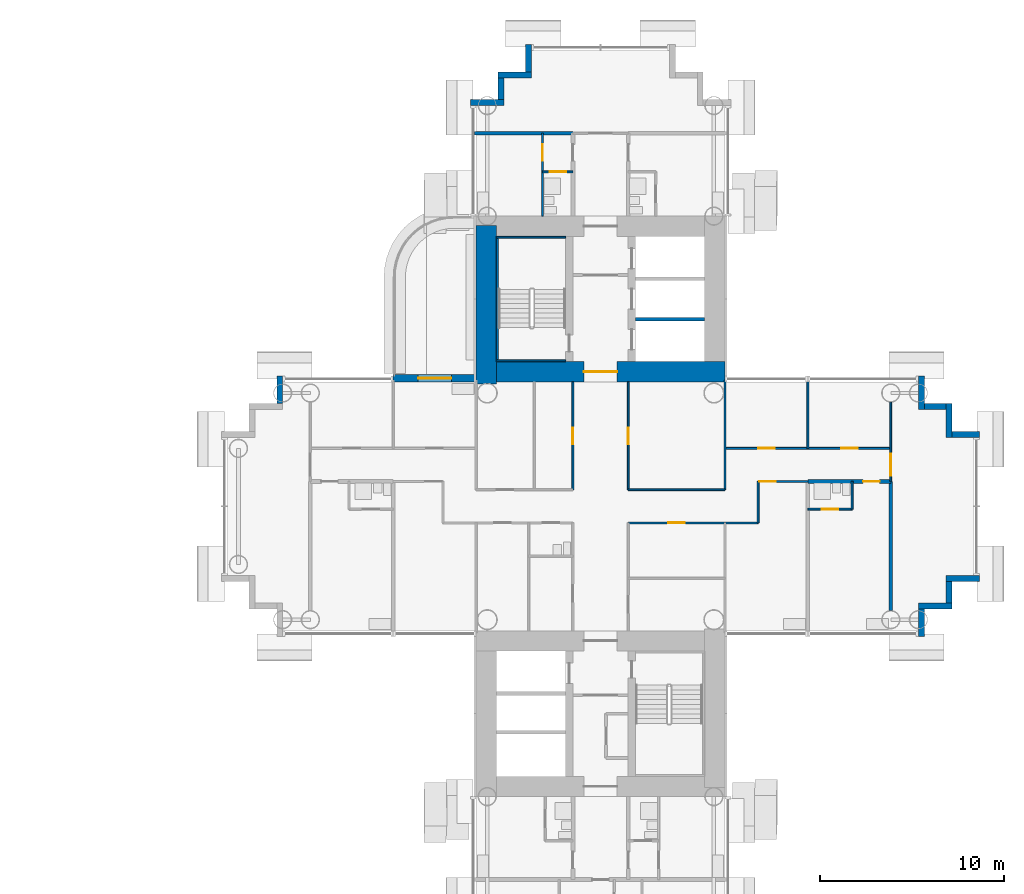
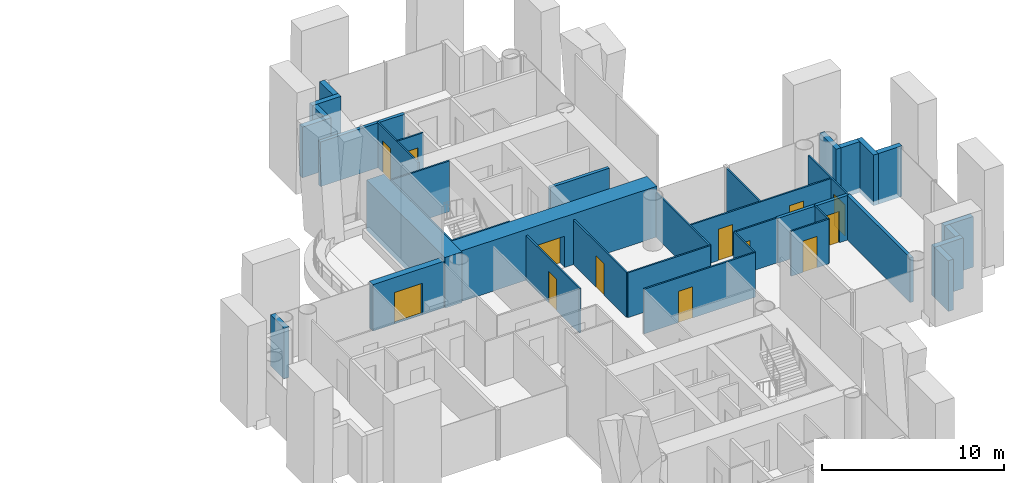
# One storey, part 15 of 23: 37 walls, 13 doors, 13 openings.
"""IFC4 building model written with IfcOpenShell, lengths in metres."""

from ifc_helpers import new_model, si_unit, direction, frame, frame_2d, origin, place, context, subcontext, project, spatial, rectangle, extrude, material, layer, layer_set, type_object, element, fill, save


model = new_model("IFC4")

# Units and contexts
model_context = context("Model", 3, precision=1e-05, world=origin(), true_north=direction((0.0, 1.0)))
body_context = subcontext(model_context, "Body", "Model", "MODEL_VIEW")
ifc_project = project(units=[si_unit("LENGTHUNIT", "METRE"), si_unit("AREAUNIT", "SQUARE_METRE"), si_unit("VOLUMEUNIT", "CUBIC_METRE"), si_unit("PLANEANGLEUNIT", "RADIAN"), si_unit("MASSUNIT", "GRAM", prefix="KILO")], contexts=[model_context])

# Site, building, storey
site_placement = place(None, origin())
site = spatial("IfcSite", under=ifc_project, at=site_placement, CompositionType="ELEMENT")
building_placement = place(site_placement, origin())
building = spatial("IfcBuilding", under=site, at=building_placement, Name="Ipe Terrace Towers", CompositionType="ELEMENT")
storey_placement = place(building_placement, frame((0.0, 0.0, 44.89990234375)))
storey = spatial("IfcBuildingStorey", under=building, at=storey_placement, Name="L11", CompositionType="ELEMENT", Elevation=44.89990234375)

# Wall, opening, door
ifc_material_1 = material(Name="Concrete C40/50 with buff precast cladding", Category="concrete")
ifc_layer_1 = layer(ifc_material_1, 0.39990234375)
ifc_layer_set_1 = layer_set([ifc_layer_1], Name="BALCONY BAY WALL 400")
wall_type_1 = type_object("IfcWallType", Name="BALCONY BAY WALL 400", PredefinedType="STANDARD", material=ifc_layer_set_1)
wall_1_placement = place(storey_placement, frame((29.25, 6.949951171875, -0.02001953125), z_axis=(0.0, 0.0, 1.0), x_axis=(-1.0, 0.0, 0.0)))
wall_1 = element("IfcWall", 1, at=wall_1_placement, inside=storey, type_object=wall_type_1, Name="T2-W-L11-32a wall", PredefinedType="STANDARD", context=body_context, shape_type="SweptSolid", body=[
    extrude(rectangle(XDim=4.5, YDim=0.39990234375, at=frame_2d((2.25, 0.0))), origin(), (0.0, 0.0, 1.0), 3.1201171875),
])
opening_1_placement = place(wall_1_placement, frame((1.35009765625, 0.0, 0.02001953125)))
opening_1 = element("IfcOpeningElement", 2, at=opening_1_placement, cuts=wall_1, Name="Opening T2-D-L11-32", PredefinedType="OPENING", context=body_context, shape_type="SweptSolid", body=[
    extrude(rectangle(XDim=1.800048828125, YDim=2.10009765625, at=frame_2d((0.89990234375, 1.050048828125))), frame((0.0, 0.2099609375, 0.0), z_axis=(0.0, -1.0, 0.0), x_axis=(1.0, 0.0, 0.0)), (0.0, 0.0, 1.0), 0.419921875),
])
ifc_material_2 = material(Name="Aluminium alloy 6063-T6 framed glazed door", Category="aluminium")
door_type_1 = type_object("IfcDoorType", Name="BALCONY DOOR 1800 x 2100 RIGHT", OperationType="SINGLE_SWING_RIGHT", PredefinedType="DOOR", material=ifc_material_2)
door_1_placement = place(opening_1_placement, origin())
door_1 = element("IfcDoor", 3, at=door_1_placement, inside=storey, type_object=door_type_1, Name="DB2 door", OperationType="SINGLE_SWING_RIGHT", OverallHeight=2.10009765625, OverallWidth=1.800048828125, PredefinedType="DOOR", context=body_context, shape_type="SweptSolid", body=[
    extrude(rectangle(XDim=1.800048828125, YDim=2.10009765625, at=frame_2d((0.89990234375, 1.050048828125))), frame((0.0, 0.02490234375, 0.0), z_axis=(0.0, -1.0, 0.0), x_axis=(1.0, 0.0, 0.0)), (0.0, 0.0, 1.0), 0.050048828125),
])
fill(opening_1, door_1)

# Walls
ifc_material_3 = material(Name="Concrete C40/50 with buff precast cladding", Category="concrete")
ifc_layer_2 = layer(ifc_material_3, 0.320068359375)
ifc_layer_set_2 = layer_set([ifc_layer_2], Name="BUFF CLADDING WALL 320")
wall_type_2 = type_object("IfcWallType", Name="BUFF CLADDING WALL 320", PredefinedType="STANDARD", material=ifc_layer_set_2)
wall_2_placement = place(storey_placement, frame((53.409912109375, -7.070068359375, -0.2998046875), z_axis=(0.0, 0.0, 1.0), x_axis=(0.0, 1.0, 0.0)))
element("IfcWall", 4, at=wall_2_placement, inside=storey, type_object=wall_type_2, Name="T2-W-L11-08a wall", PredefinedType="STANDARD", context=body_context, shape_type="SweptSolid", body=[
    extrude(rectangle(XDim=1.5, YDim=0.320068359375, at=frame_2d((0.75, 0.0))), origin(), (0.0, 0.0, 1.0), 3.39990234375),
])
wall_3_placement = place(storey_placement, frame((53.25, -5.409912109375, -0.2998046875), z_axis=(0.0, 0.0, 1.0), x_axis=(1.0, 0.0, 0.0)))
element("IfcWall", 5, at=wall_3_placement, inside=storey, type_object=wall_type_2, Name="T2-W-L11-09a wall", PredefinedType="STANDARD", context=body_context, shape_type="SweptSolid", body=[
    extrude(rectangle(XDim=1.820068359375, YDim=0.320068359375, at=frame_2d((0.91015625, 0.0))), origin(), (0.0, 0.0, 1.0), 3.39990234375),
])
wall_4_placement = place(storey_placement, frame((54.909912109375, -5.25, -0.2998046875), z_axis=(0.0, 0.0, 1.0), x_axis=(0.0, 1.0, 0.0)))
element("IfcWall", 6, at=wall_4_placement, inside=storey, type_object=wall_type_2, Name="T2-W-L11-10a wall", PredefinedType="STANDARD", context=body_context, shape_type="SweptSolid", body=[
    extrude(rectangle(XDim=1.179931640625, YDim=0.320068359375, at=frame_2d((0.58984375, 0.0))), origin(), (0.0, 0.0, 1.0), 3.39990234375),
])
wall_5_placement = place(storey_placement, frame((54.75, -3.909912109375, -0.2998046875), z_axis=(0.0, 0.0, 1.0), x_axis=(1.0, 0.0, 0.0)))
element("IfcWall", 7, at=wall_5_placement, inside=storey, type_object=wall_type_2, Name="T2-W-L11-11a wall", PredefinedType="STANDARD", context=body_context, shape_type="SweptSolid", body=[
    extrude(rectangle(XDim=1.820068359375, YDim=0.320068359375, at=frame_2d((0.91015625, 0.0))), origin(), (0.0, 0.0, 1.0), 3.39990234375),
])
wall_6_placement = place(storey_placement, frame((56.570068359375, 3.909912109375, -0.2998046875), z_axis=(0.0, 0.0, 1.0), x_axis=(-1.0, 0.0, 0.0)))
element("IfcWall", 8, at=wall_6_placement, inside=storey, type_object=wall_type_2, Name="T2-W-L11-13a wall", PredefinedType="STANDARD", context=body_context, shape_type="SweptSolid", body=[
    extrude(rectangle(XDim=1.5, YDim=0.320068359375, at=frame_2d((0.75, 0.0))), origin(), (0.0, 0.0, 1.0), 3.39990234375),
])
wall_7_placement = place(storey_placement, frame((54.909912109375, 3.75, -0.2998046875), z_axis=(0.0, 0.0, 1.0), x_axis=(0.0, 1.0, 0.0)))
element("IfcWall", 9, at=wall_7_placement, inside=storey, type_object=wall_type_2, Name="T2-W-L11-14a wall", PredefinedType="STANDARD", context=body_context, shape_type="SweptSolid", body=[
    extrude(rectangle(XDim=1.820068359375, YDim=0.320068359375, at=frame_2d((0.91015625, 0.0))), origin(), (0.0, 0.0, 1.0), 3.39990234375),
])
wall_8_placement = place(storey_placement, frame((54.75, 5.409912109375, -0.2998046875), z_axis=(0.0, 0.0, 1.0), x_axis=(-1.0, 0.0, 0.0)))
element("IfcWall", 10, at=wall_8_placement, inside=storey, type_object=wall_type_2, Name="T2-W-L11-15a wall", PredefinedType="STANDARD", context=body_context, shape_type="SweptSolid", body=[
    extrude(rectangle(XDim=1.179931640625, YDim=0.320068359375, at=frame_2d((0.58984375, 0.0))), origin(), (0.0, 0.0, 1.0), 3.39990234375),
])
wall_9_placement = place(storey_placement, frame((53.409912109375, 5.25, -0.2998046875), z_axis=(0.0, 0.0, 1.0), x_axis=(0.0, 1.0, 0.0)))
element("IfcWall", 11, at=wall_9_placement, inside=storey, type_object=wall_type_2, Name="T2-W-L11-16a wall", PredefinedType="STANDARD", context=body_context, shape_type="SweptSolid", body=[
    extrude(rectangle(XDim=1.820068359375, YDim=0.320068359375, at=frame_2d((0.91015625, 0.0))), origin(), (0.0, 0.0, 1.0), 3.39990234375),
])
wall_10_placement = place(storey_placement, frame((32.090087890625, 25.070068359375, -0.2998046875), z_axis=(0.0, 0.0, 1.0), x_axis=(0.0, -1.0, 0.0)))
element("IfcWall", 12, at=wall_10_placement, inside=storey, type_object=wall_type_2, Name="T2-W-L11-26a wall", PredefinedType="STANDARD", context=body_context, shape_type="SweptSolid", body=[
    extrude(rectangle(XDim=1.5, YDim=0.320068359375, at=frame_2d((0.75, 0.0))), origin(), (0.0, 0.0, 1.0), 3.39990234375),
])
wall_11_placement = place(storey_placement, frame((32.25, 23.409912109375, -0.2998046875), z_axis=(0.0, 0.0, 1.0), x_axis=(-1.0, 0.0, 0.0)))
element("IfcWall", 13, at=wall_11_placement, inside=storey, type_object=wall_type_2, Name="T2-W-L11-27a wall", PredefinedType="STANDARD", context=body_context, shape_type="SweptSolid", body=[
    extrude(rectangle(XDim=1.820068359375, YDim=0.320068359375, at=frame_2d((0.91015625, 0.0))), origin(), (0.0, 0.0, 1.0), 3.39990234375),
])
wall_12_placement = place(storey_placement, frame((30.590087890625, 23.25, -0.2998046875), z_axis=(0.0, 0.0, 1.0), x_axis=(0.0, -1.0, 0.0)))
element("IfcWall", 14, at=wall_12_placement, inside=storey, type_object=wall_type_2, Name="T2-W-L11-28a wall", PredefinedType="STANDARD", context=body_context, shape_type="SweptSolid", body=[
    extrude(rectangle(XDim=1.179931640625, YDim=0.320068359375, at=frame_2d((0.58984375, 0.0))), origin(), (0.0, 0.0, 1.0), 3.39990234375),
])
wall_13_placement = place(storey_placement, frame((30.75, 21.909912109375, -0.2998046875), z_axis=(0.0, 0.0, 1.0), x_axis=(-1.0, 0.0, 0.0)))
element("IfcWall", 15, at=wall_13_placement, inside=storey, type_object=wall_type_2, Name="T2-W-L11-29a wall", PredefinedType="STANDARD", context=body_context, shape_type="SweptSolid", body=[
    extrude(rectangle(XDim=1.820068359375, YDim=0.320068359375, at=frame_2d((0.91015625, 0.0))), origin(), (0.0, 0.0, 1.0), 3.39990234375),
])
wall_14_placement = place(storey_placement, frame((18.590087890625, 7.070068359375, -0.2998046875), z_axis=(0.0, 0.0, 1.0), x_axis=(0.0, -1.0, 0.0)))
element("IfcWall", 16, at=wall_14_placement, inside=storey, type_object=wall_type_2, Name="T2-W-L11-34a wall", PredefinedType="STANDARD", context=body_context, shape_type="SweptSolid", body=[
    extrude(rectangle(XDim=1.5, YDim=0.320068359375, at=frame_2d((0.75, 0.0))), origin(), (0.0, 0.0, 1.0), 3.39990234375),
])

# Wall, opening, door
ifc_material_4 = material(Name="Gypsum board partition", Category="plasterboard")
ifc_layer_3 = layer(ifc_material_4, 0.10009765625)
ifc_layer_set_3 = layer_set([ifc_layer_3], Name="Gypsum board partition 100 mm")
wall_type_3 = type_object("IfcWallType", Name="Gypsum board partition 100 mm", PredefinedType="PARTITIONING", material=ifc_layer_set_3)
wall_15_placement = place(storey_placement, frame((44.550048828125, -0.89990234375, 0.0), z_axis=(0.0, 0.0, 1.0), x_axis=(-1.0, 0.0, 0.0)))
wall_15 = element("IfcWall", 17, at=wall_15_placement, inside=storey, type_object=wall_type_3, Name="Gypsum board partition T2 L11 W07", PredefinedType="PARTITIONING", context=body_context, shape_type="SweptSolid", body=[
    extrude(rectangle(XDim=7.050048828125, YDim=0.10009765625, at=frame_2d((3.52490234375, 0.0))), origin(), (0.0, 0.0, 1.0), 3.0),
])
opening_2_placement = place(wall_15_placement, frame((3.97509765625, 0.0, 0.0)))
opening_2 = element("IfcOpeningElement", 18, at=opening_2_placement, cuts=wall_15, Name="Opening T2-Z1C-06", PredefinedType="OPENING", context=body_context, shape_type="SweptSolid", body=[
    extrude(rectangle(XDim=0.89990234375, YDim=2.10009765625, at=frame_2d((0.449951171875, 1.050048828125))), frame((0.0, 0.06005859375, 0.0), z_axis=(0.0, -1.0, 0.0), x_axis=(1.0, 0.0, 0.0)), (0.0, 0.0, 1.0), 0.1201171875),
])
ifc_material_5 = material(Name="Timber door leaf", Category="wood")
door_type_2 = type_object("IfcDoorType", Name="Lounge door 900 x 2100", OperationType="NOTDEFINED", PredefinedType="DOOR", material=ifc_material_5)
door_2_placement = place(opening_2_placement, origin())
door_2 = element("IfcDoor", 19, at=door_2_placement, inside=storey, type_object=door_type_2, Name="Lounge door T2-Z1C-06", OperationType="SINGLE_SWING_LEFT", OverallHeight=2.10009765625, OverallWidth=0.89990234375, PredefinedType="DOOR", context=body_context, shape_type="SweptSolid", body=[
    extrude(rectangle(XDim=0.89990234375, YDim=2.10009765625, at=frame_2d((0.449951171875, 1.050048828125))), frame((0.0, 0.02490234375, 0.0), z_axis=(0.0, -1.0, 0.0), x_axis=(1.0, 0.0, 0.0)), (0.0, 0.0, 1.0), 0.050048828125),
])
fill(opening_2, door_2)

wall_16_placement = place(storey_placement, frame((49.64990234375, -0.14990234375, 0.0), z_axis=(0.0, 0.0, 1.0), x_axis=(-1.0, 0.0, 0.0)))
wall_16 = element("IfcWall", 20, at=wall_16_placement, inside=storey, type_object=wall_type_3, Name="Gypsum board partition T2 L11 W09", PredefinedType="PARTITIONING", context=body_context, shape_type="SweptSolid", body=[
    extrude(rectangle(XDim=2.39990234375, YDim=0.10009765625, at=frame_2d((1.199951171875, 0.0))), origin(), (0.0, 0.0, 1.0), 3.0),
])
opening_3_placement = place(wall_16_placement, frame((0.75, 0.0, 0.0)))
opening_3 = element("IfcOpeningElement", 21, at=opening_3_placement, cuts=wall_16, Name="Opening T2-Z1C-19", PredefinedType="OPENING", context=body_context, shape_type="SweptSolid", body=[
    extrude(rectangle(XDim=0.89990234375, YDim=2.10009765625, at=frame_2d((0.449951171875, 1.050048828125))), frame((0.0, 0.06005859375, 0.0), z_axis=(0.0, -1.0, 0.0), x_axis=(1.0, 0.0, 0.0)), (0.0, 0.0, 1.0), 0.1201171875),
])
ifc_material_6 = material(Name="Timber door leaf", Category="wood")
door_type_3 = type_object("IfcDoorType", Name="Bathroom door 900 x 2100", OperationType="NOTDEFINED", PredefinedType="DOOR", material=ifc_material_6)
door_3_placement = place(opening_3_placement, origin())
door_3 = element("IfcDoor", 22, at=door_3_placement, inside=storey, type_object=door_type_3, Name="Bathroom door T2-Z1C-19", OperationType="SINGLE_SWING_RIGHT", OverallHeight=2.10009765625, OverallWidth=0.89990234375, PredefinedType="DOOR", context=body_context, shape_type="SweptSolid", body=[
    extrude(rectangle(XDim=0.89990234375, YDim=2.10009765625, at=frame_2d((0.449951171875, 1.050048828125))), frame((0.0, 0.02490234375, 0.0), z_axis=(0.0, -1.0, 0.0), x_axis=(1.0, 0.0, 0.0)), (0.0, 0.0, 1.0), 0.050048828125),
])
fill(opening_3, door_3)

# Wall
wall_17_placement = place(storey_placement, frame((42.75, 0.89990234375, 0.0), z_axis=(0.0, 0.0, 1.0), x_axis=(-1.0, 0.0, 0.0)))
element("IfcWall", 23, at=wall_17_placement, inside=storey, type_object=wall_type_3, Name="Gypsum board partition T2 L11 W11", PredefinedType="PARTITIONING", context=body_context, shape_type="SweptSolid", body=[
    extrude(rectangle(XDim=5.25, YDim=0.10009765625, at=frame_2d((2.625, 0.0))), origin(), (0.0, 0.0, 1.0), 3.0),
])

# Wall, opening, door
wall_18_placement = place(storey_placement, frame((47.25, 1.35009765625, 0.0), z_axis=(0.0, 0.0, 1.0), x_axis=(-1.0, 0.0, 0.0)))
wall_18 = element("IfcWall", 24, at=wall_18_placement, inside=storey, type_object=wall_type_3, Name="Gypsum board partition T2 L11 W13", PredefinedType="PARTITIONING", context=body_context, shape_type="SweptSolid", body=[
    extrude(rectangle(XDim=2.699951171875, YDim=0.10009765625, at=frame_2d((1.35009765625, 0.0))), origin(), (0.0, 0.0, 1.0), 3.0),
])
opening_4_placement = place(wall_18_placement, frame((1.72998046875, 0.0, 0.0)))
opening_4 = element("IfcOpeningElement", 25, at=opening_4_placement, cuts=wall_18, Name="Opening T2-Z1C-17", PredefinedType="OPENING", context=body_context, shape_type="SweptSolid", body=[
    extrude(rectangle(XDim=0.89990234375, YDim=2.10009765625, at=frame_2d((0.449951171875, 1.050048828125))), frame((0.0, 0.06005859375, 0.0), z_axis=(0.0, -1.0, 0.0), x_axis=(1.0, 0.0, 0.0)), (0.0, 0.0, 1.0), 0.1201171875),
])
door_4_placement = place(opening_4_placement, origin())
door_4 = element("IfcDoor", 26, at=door_4_placement, inside=storey, type_object=door_type_2, Name="Lounge door T2-Z1C-17", OperationType="SINGLE_SWING_LEFT", OverallHeight=2.10009765625, OverallWidth=0.89990234375, PredefinedType="DOOR", context=body_context, shape_type="SweptSolid", body=[
    extrude(rectangle(XDim=0.89990234375, YDim=2.10009765625, at=frame_2d((0.449951171875, 1.050048828125))), frame((0.0, 0.02490234375, 0.0), z_axis=(0.0, -1.0, 0.0), x_axis=(1.0, 0.0, 0.0)), (0.0, 0.0, 1.0), 0.050048828125),
])
fill(opening_4, door_4)

# Wall, openings, doors
wall_19_placement = place(storey_placement, frame((51.75, 3.14990234375, 0.0), z_axis=(0.0, 0.0, 1.0), x_axis=(-1.0, 0.0, 0.0)))
wall_19 = element("IfcWall", 27, at=wall_19_placement, inside=storey, type_object=wall_type_3, Name="Gypsum board partition T2 L11 W17", PredefinedType="PARTITIONING", context=body_context, shape_type="SweptSolid", body=[
    extrude(rectangle(XDim=9.0, YDim=0.10009765625, at=frame_2d((4.5, 0.0))), origin(), (0.0, 0.0, 1.0), 3.0),
])
opening_5_placement = place(wall_19_placement, frame((6.300048828125, 0.0, 0.0)))
opening_5 = element("IfcOpeningElement", 28, at=opening_5_placement, cuts=wall_19, Name="Opening T2-Z1C-15", PredefinedType="OPENING", context=body_context, shape_type="SweptSolid", body=[
    extrude(rectangle(XDim=0.89990234375, YDim=2.10009765625, at=frame_2d((0.449951171875, 1.050048828125))), frame((0.0, 0.06005859375, 0.0), z_axis=(0.0, -1.0, 0.0), x_axis=(1.0, 0.0, 0.0)), (0.0, 0.0, 1.0), 0.1201171875),
])
opening_6_placement = place(wall_19_placement, frame((1.800048828125, 0.0, 0.0)))
opening_6 = element("IfcOpeningElement", 29, at=opening_6_placement, cuts=wall_19, Name="Opening T2-Z1C-16", PredefinedType="OPENING", context=body_context, shape_type="SweptSolid", body=[
    extrude(rectangle(XDim=0.89990234375, YDim=2.10009765625, at=frame_2d((0.449951171875, 1.050048828125))), frame((0.0, 0.06005859375, 0.0), z_axis=(0.0, -1.0, 0.0), x_axis=(1.0, 0.0, 0.0)), (0.0, 0.0, 1.0), 0.1201171875),
])
door_5_placement = place(opening_5_placement, origin())
door_5 = element("IfcDoor", 30, at=door_5_placement, inside=storey, type_object=door_type_2, Name="Lounge door T2-Z1C-15", OperationType="SINGLE_SWING_RIGHT", OverallHeight=2.10009765625, OverallWidth=0.89990234375, PredefinedType="DOOR", context=body_context, shape_type="SweptSolid", body=[
    extrude(rectangle(XDim=0.89990234375, YDim=2.10009765625, at=frame_2d((0.449951171875, 1.050048828125))), frame((0.0, 0.02490234375, 0.0), z_axis=(0.0, -1.0, 0.0), x_axis=(1.0, 0.0, 0.0)), (0.0, 0.0, 1.0), 0.050048828125),
])
fill(opening_5, door_5)
door_6_placement = place(opening_6_placement, origin())
door_6 = element("IfcDoor", 31, at=door_6_placement, inside=storey, type_object=door_type_2, Name="Lounge door T2-Z1C-16", OperationType="SINGLE_SWING_LEFT", OverallHeight=2.10009765625, OverallWidth=0.89990234375, PredefinedType="DOOR", context=body_context, shape_type="SweptSolid", body=[
    extrude(rectangle(XDim=0.89990234375, YDim=2.10009765625, at=frame_2d((0.449951171875, 1.050048828125))), frame((0.0, 0.02490234375, 0.0), z_axis=(0.0, -1.0, 0.0), x_axis=(1.0, 0.0, 0.0)), (0.0, 0.0, 1.0), 0.050048828125),
])
fill(opening_6, door_6)

# Wall, opening, door
wall_20_placement = place(storey_placement, frame((34.5, 18.14990234375, 0.0), z_axis=(0.0, 0.0, 1.0), x_axis=(-1.0, 0.0, 0.0)))
wall_20 = element("IfcWall", 32, at=wall_20_placement, inside=storey, type_object=wall_type_3, Name="Gypsum board partition T2 L11 W20", PredefinedType="PARTITIONING", context=body_context, shape_type="SweptSolid", body=[
    extrude(rectangle(XDim=1.64990234375, YDim=0.10009765625, at=frame_2d((0.824951171875, 0.0))), origin(), (0.0, 0.0, 1.0), 3.0),
])
opening_7_placement = place(wall_20_placement, frame((0.35009765625, 0.0, 0.0)))
opening_7 = element("IfcOpeningElement", 33, at=opening_7_placement, cuts=wall_20, Name="Opening T2-Z1C-23", PredefinedType="OPENING", context=body_context, shape_type="SweptSolid", body=[
    extrude(rectangle(XDim=0.89990234375, YDim=2.10009765625, at=frame_2d((0.449951171875, 1.050048828125))), frame((0.0, 0.06005859375, 0.0), z_axis=(0.0, -1.0, 0.0), x_axis=(1.0, 0.0, 0.0)), (0.0, 0.0, 1.0), 0.1201171875),
])
door_7_placement = place(opening_7_placement, origin())
door_7 = element("IfcDoor", 34, at=door_7_placement, inside=storey, type_object=door_type_3, Name="Bathroom door T2-Z1C-23", OperationType="SINGLE_SWING_RIGHT", OverallHeight=2.10009765625, OverallWidth=0.89990234375, PredefinedType="DOOR", context=body_context, shape_type="SweptSolid", body=[
    extrude(rectangle(XDim=0.89990234375, YDim=2.10009765625, at=frame_2d((0.449951171875, 1.050048828125))), frame((0.0, 0.02490234375, 0.0), z_axis=(0.0, -1.0, 0.0), x_axis=(1.0, 0.0, 0.0)), (0.0, 0.0, 1.0), 0.050048828125),
])
fill(opening_7, door_7)

wall_21_placement = place(storey_placement, frame((51.75, 1.35009765625, 0.0), z_axis=(0.0, 0.0, 1.0), x_axis=(0.0, 1.0, 0.0)))
wall_21 = element("IfcWall", 35, at=wall_21_placement, inside=storey, type_object=wall_type_3, Name="Gypsum board partition T2 L11 W24", PredefinedType="PARTITIONING", context=body_context, shape_type="SweptSolid", body=[
    extrude(rectangle(XDim=4.2998046875, YDim=0.10009765625, at=frame_2d((2.14990234375, 0.0))), origin(), (0.0, 0.0, 1.0), 3.0),
])
opening_8_placement = place(wall_21_placement, frame((0.300048828125, 0.0, 0.0)))
opening_8 = element("IfcOpeningElement", 36, at=opening_8_placement, cuts=wall_21, Name="Opening T2-Z1C-20", PredefinedType="OPENING", context=body_context, shape_type="SweptSolid", body=[
    extrude(rectangle(XDim=1.199951171875, YDim=2.10009765625, at=frame_2d((0.60009765625, 1.050048828125))), frame((0.0, 0.06005859375, 0.0), z_axis=(0.0, -1.0, 0.0), x_axis=(1.0, 0.0, 0.0)), (0.0, 0.0, 1.0), 0.1201171875),
])
ifc_material_7 = material(Name="Timber door leaf", Category="wood")
door_type_4 = type_object("IfcDoorType", Name="Lounge door 1200 x 2100", OperationType="NOTDEFINED", PredefinedType="DOOR", material=ifc_material_7)
door_8_placement = place(opening_8_placement, origin())
door_8 = element("IfcDoor", 37, at=door_8_placement, inside=storey, type_object=door_type_4, Name="Lounge door T2-Z1C-20", OperationType="SINGLE_SWING_LEFT", OverallHeight=2.10009765625, OverallWidth=1.199951171875, PredefinedType="DOOR", context=body_context, shape_type="SweptSolid", body=[
    extrude(rectangle(XDim=1.199951171875, YDim=2.10009765625, at=frame_2d((0.60009765625, 1.050048828125))), frame((0.0, 0.02490234375, 0.0), z_axis=(0.0, -1.0, 0.0), x_axis=(1.0, 0.0, 0.0)), (0.0, 0.0, 1.0), 0.050048828125),
])
fill(opening_8, door_8)

# Walls
wall_22_placement = place(storey_placement, frame((49.64990234375, -0.14990234375, 0.0), z_axis=(0.0, 0.0, 1.0), x_axis=(0.0, 1.0, 0.0)))
element("IfcWall", 38, at=wall_22_placement, inside=storey, type_object=wall_type_3, Name="Gypsum board partition T2 L11 W26", PredefinedType="PARTITIONING", context=body_context, shape_type="SweptSolid", body=[
    extrude(rectangle(XDim=1.5, YDim=0.10009765625, at=frame_2d((0.75, 0.0))), origin(), (0.0, 0.0, 1.0), 3.0),
])
wall_23_placement = place(storey_placement, frame((47.25, 3.14990234375, 0.0), z_axis=(0.0, 0.0, 1.0), x_axis=(0.0, 1.0, 0.0)))
element("IfcWall", 39, at=wall_23_placement, inside=storey, type_object=wall_type_3, Name="Gypsum board partition T2 L11 W27", PredefinedType="PARTITIONING", context=body_context, shape_type="SweptSolid", body=[
    extrude(rectangle(XDim=3.7001953125, YDim=0.10009765625, at=frame_2d((1.85009765625, 0.0))), origin(), (0.0, 0.0, 1.0), 3.0),
])
wall_24_placement = place(storey_placement, frame((44.550048828125, -0.89990234375, 0.0), z_axis=(0.0, 0.0, 1.0), x_axis=(0.0, 1.0, 0.0)))
element("IfcWall", 40, at=wall_24_placement, inside=storey, type_object=wall_type_3, Name="Gypsum board partition T2 L11 W29", PredefinedType="PARTITIONING", context=body_context, shape_type="SweptSolid", body=[
    extrude(rectangle(XDim=2.25, YDim=0.10009765625, at=frame_2d((1.125, 0.0))), origin(), (0.0, 0.0, 1.0), 3.0),
])
wall_25_placement = place(storey_placement, frame((42.75, 0.89990234375, 0.0), z_axis=(0.0, 0.0, 1.0), x_axis=(0.0, 1.0, 0.0)))
element("IfcWall", 41, at=wall_25_placement, inside=storey, type_object=wall_type_3, Name="Gypsum board partition T2 L11 W31", PredefinedType="PARTITIONING", context=body_context, shape_type="SweptSolid", body=[
    extrude(rectangle(XDim=5.9501953125, YDim=0.10009765625, at=frame_2d((2.97509765625, 0.0))), origin(), (0.0, 0.0, 1.0), 3.0),
])

# Wall, opening, door
wall_26_placement = place(storey_placement, frame((37.5, 0.89990234375, 0.0), z_axis=(0.0, 0.0, 1.0), x_axis=(0.0, 1.0, 0.0)))
wall_26 = element("IfcWall", 42, at=wall_26_placement, inside=storey, type_object=wall_type_3, Name="Gypsum board partition T2 L11 W36", PredefinedType="PARTITIONING", context=body_context, shape_type="SweptSolid", body=[
    extrude(rectangle(XDim=5.85009765625, YDim=0.10009765625, at=frame_2d((2.925048828125, 0.0))), origin(), (0.0, 0.0, 1.0), 3.0),
])
opening_9_placement = place(wall_26_placement, frame((2.47509765625, 0.0, 0.0)))
opening_9 = element("IfcOpeningElement", 43, at=opening_9_placement, cuts=wall_26, Name="Opening T2-Z1C-08", PredefinedType="OPENING", context=body_context, shape_type="SweptSolid", body=[
    extrude(rectangle(XDim=0.89990234375, YDim=2.10009765625, at=frame_2d((0.449951171875, 1.050048828125))), frame((0.0, 0.06005859375, 0.0), z_axis=(0.0, -1.0, 0.0), x_axis=(1.0, 0.0, 0.0)), (0.0, 0.0, 1.0), 0.1201171875),
])
door_9_placement = place(opening_9_placement, origin())
door_9 = element("IfcDoor", 44, at=door_9_placement, inside=storey, type_object=door_type_2, Name="Lounge door T2-Z1C-08", OperationType="SINGLE_SWING_RIGHT", OverallHeight=2.10009765625, OverallWidth=0.89990234375, PredefinedType="DOOR", context=body_context, shape_type="SweptSolid", body=[
    extrude(rectangle(XDim=0.89990234375, YDim=2.10009765625, at=frame_2d((0.449951171875, 1.050048828125))), frame((0.0, 0.02490234375, 0.0), z_axis=(0.0, -1.0, 0.0), x_axis=(1.0, 0.0, 0.0)), (0.0, 0.0, 1.0), 0.050048828125),
])
fill(opening_9, door_9)

wall_27_placement = place(storey_placement, frame((34.5, 0.89990234375, 0.0), z_axis=(0.0, 0.0, 1.0), x_axis=(0.0, 1.0, 0.0)))
wall_27 = element("IfcWall", 45, at=wall_27_placement, inside=storey, type_object=wall_type_3, Name="Gypsum board partition T2 L11 W41", PredefinedType="PARTITIONING", context=body_context, shape_type="SweptSolid", body=[
    extrude(rectangle(XDim=5.85009765625, YDim=0.10009765625, at=frame_2d((2.925048828125, 0.0))), origin(), (0.0, 0.0, 1.0), 3.0),
])
opening_10_placement = place(wall_27_placement, frame((2.47509765625, 0.0, 0.0)))
opening_10 = element("IfcOpeningElement", 46, at=opening_10_placement, cuts=wall_27, Name="Opening T2-Z1C-02", PredefinedType="OPENING", context=body_context, shape_type="SweptSolid", body=[
    extrude(rectangle(XDim=0.89990234375, YDim=2.10009765625, at=frame_2d((0.449951171875, 1.050048828125))), frame((0.0, 0.06005859375, 0.0), z_axis=(0.0, -1.0, 0.0), x_axis=(1.0, 0.0, 0.0)), (0.0, 0.0, 1.0), 0.1201171875),
])
door_10_placement = place(opening_10_placement, origin())
door_10 = element("IfcDoor", 47, at=door_10_placement, inside=storey, type_object=door_type_2, Name="Lounge door T2-Z1C-02", OperationType="SINGLE_SWING_LEFT", OverallHeight=2.10009765625, OverallWidth=0.89990234375, PredefinedType="DOOR", context=body_context, shape_type="SweptSolid", body=[
    extrude(rectangle(XDim=0.89990234375, YDim=2.10009765625, at=frame_2d((0.449951171875, 1.050048828125))), frame((0.0, 0.02490234375, 0.0), z_axis=(0.0, -1.0, 0.0), x_axis=(1.0, 0.0, 0.0)), (0.0, 0.0, 1.0), 0.050048828125),
])
fill(opening_10, door_10)

wall_28_placement = place(storey_placement, frame((32.85009765625, 15.75, 0.0), z_axis=(0.0, 0.0, 1.0), x_axis=(0.0, 1.0, 0.0)))
wall_28 = element("IfcWall", 48, at=wall_28_placement, inside=storey, type_object=wall_type_3, Name="Gypsum board partition T2 L11 W46", PredefinedType="PARTITIONING", context=body_context, shape_type="SweptSolid", body=[
    extrude(rectangle(XDim=4.5, YDim=0.10009765625, at=frame_2d((2.25, 0.0))), origin(), (0.0, 0.0, 1.0), 3.0),
])
opening_11_placement = place(wall_28_placement, frame((3.0, 0.0, 0.0)))
opening_11 = element("IfcOpeningElement", 49, at=opening_11_placement, cuts=wall_28, Name="Opening T2-Z1C-22", PredefinedType="OPENING", context=body_context, shape_type="SweptSolid", body=[
    extrude(rectangle(XDim=0.89990234375, YDim=2.10009765625, at=frame_2d((0.449951171875, 1.050048828125))), frame((0.0, 0.06005859375, 0.0), z_axis=(0.0, -1.0, 0.0), x_axis=(1.0, 0.0, 0.0)), (0.0, 0.0, 1.0), 0.1201171875),
])
ifc_material_8 = material(Name="Timber door leaf", Category="wood")
door_type_5 = type_object("IfcDoorType", Name="Bedroom door 900 x 2100", OperationType="NOTDEFINED", PredefinedType="DOOR", material=ifc_material_8)
door_11_placement = place(opening_11_placement, origin())
door_11 = element("IfcDoor", 50, at=door_11_placement, inside=storey, type_object=door_type_5, Name="Bedroom door T2-Z1C-22", OperationType="SINGLE_SWING_LEFT", OverallHeight=2.10009765625, OverallWidth=0.89990234375, PredefinedType="DOOR", context=body_context, shape_type="SweptSolid", body=[
    extrude(rectangle(XDim=0.89990234375, YDim=2.10009765625, at=frame_2d((0.449951171875, 1.050048828125))), frame((0.0, 0.02490234375, 0.0), z_axis=(0.0, -1.0, 0.0), x_axis=(1.0, 0.0, 0.0)), (0.0, 0.0, 1.0), 0.050048828125),
])
fill(opening_11, door_11)

# Wall
ifc_material_9 = material(Name="Gypsum board party wall", Category="plasterboard")
ifc_layer_4 = layer(ifc_material_9, 0.199951171875)
ifc_layer_set_4 = layer_set([ifc_layer_4], Name="Gypsum board party wall 200 mm")
wall_type_4 = type_object("IfcWallType", Name="Gypsum board party wall 200 mm", PredefinedType="SOLIDWALL", material=ifc_layer_set_4)
wall_29_placement = place(storey_placement, frame((41.64990234375, 10.14990234375, 0.0), z_axis=(0.0, 0.0, 1.0), x_axis=(-1.0, 0.0, 0.0)))
element("IfcWall", 51, at=wall_29_placement, inside=storey, type_object=wall_type_4, Name="Gypsum board party wall T2 L11 t2c1-shaft-div1", PredefinedType="SOLIDWALL", context=body_context, shape_type="SweptSolid", body=[
    extrude(rectangle(XDim=3.75, YDim=0.199951171875, at=frame_2d((1.875, 0.0))), origin(), (0.0, 0.0, 1.0), 3.0),
])

# Wall, opening, door
wall_30_placement = place(storey_placement, frame((51.75, 1.35009765625, 0.0), z_axis=(0.0, 0.0, 1.0), x_axis=(-1.0, 0.0, 0.0)))
wall_30 = element("IfcWall", 52, at=wall_30_placement, inside=storey, type_object=wall_type_4, Name="Gypsum board party wall T2 L11 W15", PredefinedType="SOLIDWALL", context=body_context, shape_type="SweptSolid", body=[
    extrude(rectangle(XDim=4.5, YDim=0.199951171875, at=frame_2d((2.25, 0.0))), origin(), (0.0, 0.0, 1.0), 3.0),
])
opening_12_placement = place(wall_30_placement, frame((0.60009765625, 0.0, 0.0)))
opening_12 = element("IfcOpeningElement", 53, at=opening_12_placement, cuts=wall_30, Name="Opening T2-Z1C-18", PredefinedType="OPENING", context=body_context, shape_type="SweptSolid", body=[
    extrude(rectangle(XDim=0.89990234375, YDim=2.10009765625, at=frame_2d((0.449951171875, 1.050048828125))), frame((0.0, 0.10986328125, 0.0), z_axis=(0.0, -1.0, 0.0), x_axis=(1.0, 0.0, 0.0)), (0.0, 0.0, 1.0), 0.219970703125),
])
ifc_material_10 = material(Name="Fire-rated timber door leaf", Category="wood")
door_type_6 = type_object("IfcDoorType", Name="Flat entrance door 900 x 2100 FD30S", OperationType="NOTDEFINED", PredefinedType="DOOR", material=ifc_material_10)
door_12_placement = place(opening_12_placement, origin())
door_12 = element("IfcDoor", 54, at=door_12_placement, inside=storey, type_object=door_type_6, Name="Flat entrance door T2-Z1C-18", OperationType="SINGLE_SWING_RIGHT", OverallHeight=2.10009765625, OverallWidth=0.89990234375, PredefinedType="DOOR", context=body_context, shape_type="SweptSolid", body=[
    extrude(rectangle(XDim=0.89990234375, YDim=2.10009765625, at=frame_2d((0.449951171875, 1.050048828125))), frame((0.0, 0.02490234375, 0.0), z_axis=(0.0, -1.0, 0.0), x_axis=(1.0, 0.0, 0.0)), (0.0, 0.0, 1.0), 0.050048828125),
])
fill(opening_12, door_12)

# Walls
wall_31_placement = place(storey_placement, frame((34.5, 20.25, 0.0), z_axis=(0.0, 0.0, 1.0), x_axis=(-1.0, 0.0, 0.0)))
element("IfcWall", 55, at=wall_31_placement, inside=storey, type_object=wall_type_4, Name="Gypsum board party wall T2 L11 W23", PredefinedType="SOLIDWALL", context=body_context, shape_type="SweptSolid", body=[
    extrude(rectangle(XDim=5.35009765625, YDim=0.199951171875, at=frame_2d((2.675048828125, 0.0))), origin(), (0.0, 0.0, 1.0), 3.0),
])
wall_32_placement = place(storey_placement, frame((51.75, -5.64990234375, 0.0), z_axis=(0.0, 0.0, 1.0), x_axis=(0.0, 1.0, 0.0)))
element("IfcWall", 56, at=wall_32_placement, inside=storey, type_object=wall_type_4, Name="Gypsum board party wall T2 L11 W25", PredefinedType="SOLIDWALL", context=body_context, shape_type="SweptSolid", body=[
    extrude(rectangle(XDim=7.0, YDim=0.199951171875, at=frame_2d((3.5, 0.0))), origin(), (0.0, 0.0, 1.0), 3.0),
])
ifc_material_11 = material(Name="Concrete C60/75", Category="concrete")
ifc_layer_5 = layer(ifc_material_11, 0.10009765625)
ifc_layer_set_5 = layer_set([ifc_layer_5], Name="RW100 CORE INFILL WALL 100 C60-75")
wall_type_5 = type_object("IfcWallType", Name="RW100 CORE INFILL WALL 100 C60-75", PredefinedType="SHEAR", material=ifc_layer_set_5)
wall_33_placement = place(storey_placement, frame((34.10009765625, 14.60009765625, 0.0), z_axis=(0.0, 0.0, 1.0), x_axis=(-1.0, 0.0, 0.0)))
element("IfcWall", 57, at=wall_33_placement, inside=storey, type_object=wall_type_5, Name="Core infill wall T2-C1-far", PredefinedType="SHEAR", context=body_context, shape_type="SweptSolid", body=[
    extrude(rectangle(XDim=3.75, YDim=0.10009765625, at=frame_2d((1.875, 0.0))), origin(), (0.0, 0.0, 1.0), 3.400146484375),
])
wall_34_placement = place(storey_placement, frame((30.39990234375, 7.949951171875, 0.0), z_axis=(0.0, 0.0, 1.0), x_axis=(0.0, 1.0, 0.0)))
element("IfcWall", 58, at=wall_34_placement, inside=storey, type_object=wall_type_5, Name="Core infill wall T2-C1-back", PredefinedType="SHEAR", context=body_context, shape_type="SweptSolid", body=[
    extrude(rectangle(XDim=6.60009765625, YDim=0.10009765625, at=frame_2d((3.300048828125, 0.0))), origin(), (0.0, 0.0, 1.0), 3.400146484375),
])
wall_35_placement = place(storey_placement, frame((34.10009765625, 7.89990234375, 0.0), z_axis=(0.0, 0.0, 1.0), x_axis=(-1.0, 0.0, 0.0)))
element("IfcWall", 59, at=wall_35_placement, inside=storey, type_object=wall_type_5, Name="Core infill wall T2-C1-near", PredefinedType="SHEAR", context=body_context, shape_type="SweptSolid", body=[
    extrude(rectangle(XDim=3.75, YDim=0.10009765625, at=frame_2d((1.875, 0.0))), origin(), (0.0, 0.0, 1.0), 3.400146484375),
])

# Wall, opening, door
ifc_material_12 = material(Name="Concrete C60/75", Category="concrete")
ifc_layer_6 = layer(ifc_material_12, 1.10009765625)
ifc_layer_set_6 = layer_set([ifc_layer_6], Name="RW1100 CORE WALL 1100 C60-75")
wall_type_6 = type_object("IfcWallType", Name="RW1100 CORE WALL 1100 C60-75", PredefinedType="SHEAR", material=ifc_layer_set_6)
wall_36_placement = place(storey_placement, frame((30.35009765625, 7.300048828125, 0.0), z_axis=(0.0, 0.0, 1.0), x_axis=(1.0, 0.0, 0.0)))
wall_36 = element("IfcWall", 60, at=wall_36_placement, inside=storey, type_object=wall_type_6, Name="Core wall T2-C1-Z1-W01", PredefinedType="SHEAR", context=body_context, shape_type="SweptSolid", body=[
    extrude(rectangle(XDim=12.39990234375, YDim=1.10009765625, at=frame_2d((6.199951171875, 0.0))), origin(), (0.0, 0.0, 1.0), 3.400146484375),
])
opening_13_placement = place(wall_36_placement, frame((4.75, 0.0, 0.0)))
opening_13 = element("IfcOpeningElement", 61, at=opening_13_placement, cuts=wall_36, Name="Opening T2C1-ND", PredefinedType="OPENING", context=body_context, shape_type="SweptSolid", body=[
    extrude(rectangle(XDim=1.800048828125, YDim=2.10009765625, at=frame_2d((0.89990234375, 1.050048828125))), frame((0.0, 0.56005859375, 0.0), z_axis=(0.0, -1.0, 0.0), x_axis=(1.0, 0.0, 0.0)), (0.0, 0.0, 1.0), 1.1201171875),
])
ifc_material_13 = material(Name="Fire-rated timber door leaf", Category="wood")
door_type_7 = type_object("IfcDoorType", Name="Fire door 1800 x 2100 FD30S", OperationType="NOTDEFINED", PredefinedType="DOOR", material=ifc_material_13)
door_13_placement = place(opening_13_placement, origin())
door_13 = element("IfcDoor", 62, at=door_13_placement, inside=storey, type_object=door_type_7, Name="Fire door T2C1-ND", OperationType="SINGLE_SWING_LEFT", OverallHeight=2.10009765625, OverallWidth=1.800048828125, PredefinedType="DOOR", context=body_context, shape_type="SweptSolid", body=[
    extrude(rectangle(XDim=1.800048828125, YDim=2.10009765625, at=frame_2d((0.89990234375, 1.050048828125))), frame((0.0, 0.02490234375, 0.0), z_axis=(0.0, -1.0, 0.0), x_axis=(1.0, 0.0, 0.0)), (0.0, 0.0, 1.0), 0.050048828125),
])
fill(opening_13, door_13)

# Wall
wall_37_placement = place(storey_placement, frame((29.800048828125, 15.248046875, 0.0), z_axis=(0.0, 0.0, 1.0), x_axis=(0.0, -1.0, 0.0)))
element("IfcWall", 63, at=wall_37_placement, inside=storey, type_object=wall_type_6, Name="Core wall T2-C1-Z1-W04", PredefinedType="SHEAR", context=body_context, shape_type="SweptSolid", body=[
    extrude(rectangle(XDim=8.595947265625, YDim=1.10009765625, at=frame_2d((4.2978515625, 0.0))), origin(), (0.0, 0.0, 1.0), 3.400146484375),
])

save(model, "model.ifc")
